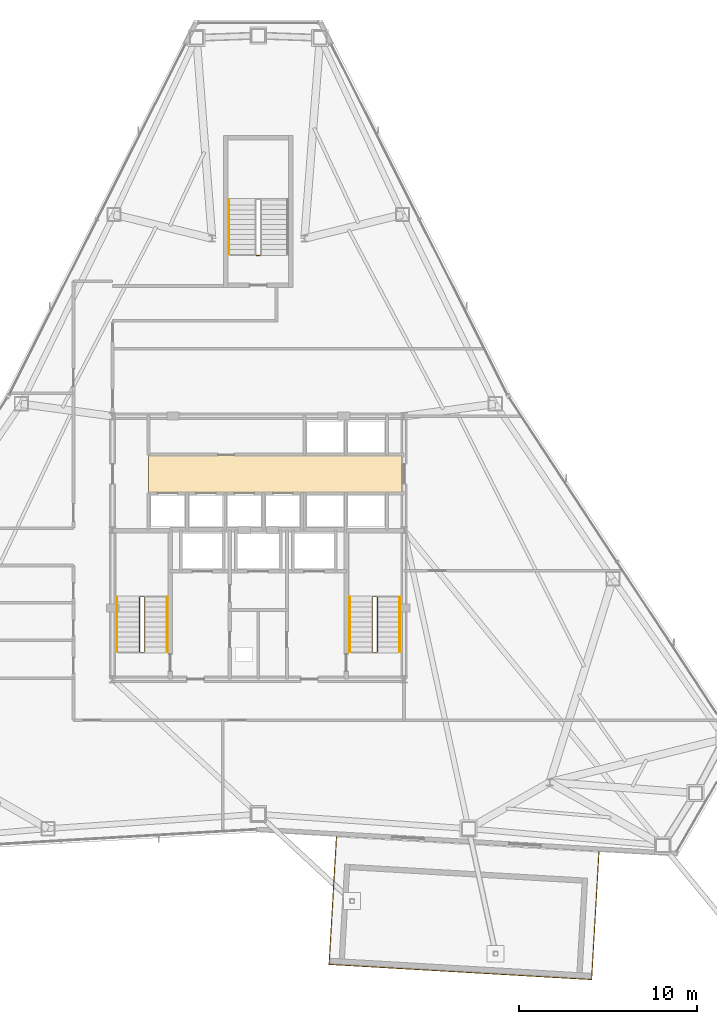
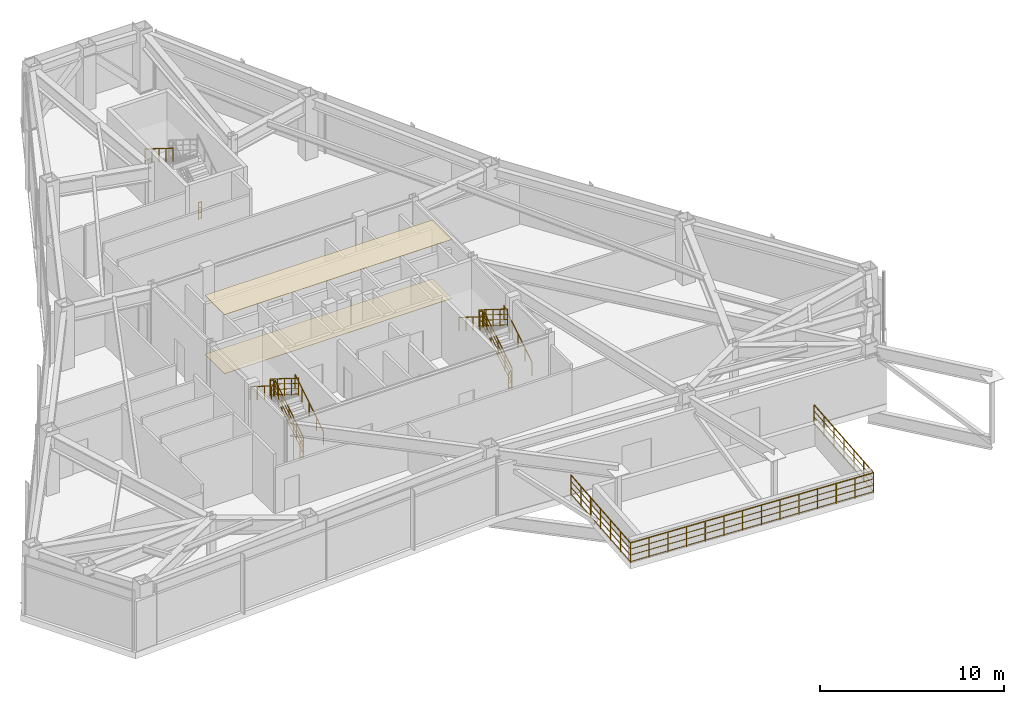
# One storey, part 12 of 13: 17 railings, 2 coverings.
"""IFC4 building model written with IfcOpenShell, lengths in metres."""

import ifcopenshell
import ifcopenshell.guid

model = None  # the IFC model being written
_history = None  # IfcOwnerHistory: only IFC2X3 demands one
_inside = {}  # id of a spatial element -> (the spatial element, [elements in it])
_under = {}  # id of a project, library or spatial element -> (it, [spatial elements below it])
_declared = {}  # id of a project -> (the project, [libraries it declares])
_typed = {}  # id of a type object -> (the type object, [elements of that type])
_made_of = {}  # id of a material, layer set ... -> (it, [elements and type objects made of it])


def new_model(schema):
    """Start an empty IFC model of exactly this schema.

    Asked for "IFC4X3", IfcOpenShell would pick the latest addendum, in which some entities
    have other attributes; the version numbers below select the first issue.
    IFC2X3 requires an IfcOwnerHistory on every rooted entity: one is made here for all.
    """
    global model, _history
    if schema == "IFC4X3":
        model = ifcopenshell.file(schema_version=(4, 3, 0, 0))
    else:
        model = ifcopenshell.file(schema=schema)
    _inside.clear()
    _under.clear()
    _declared.clear()
    _typed.clear()
    _made_of.clear()
    _history = None
    if model.schema == "IFC2X3":
        org = make("IfcOrganization", Name="unknown")
        user = make(
            "IfcPersonAndOrganization",
            ThePerson=make("IfcPerson", FamilyName="unknown"),
            TheOrganization=org,
        )
        app = make(
            "IfcApplication",
            ApplicationDeveloper=org,
            Version="unknown",
            ApplicationFullName="unknown",
            ApplicationIdentifier="unknown",
        )
        _history = make(
            "IfcOwnerHistory",
            OwningUser=user,
            OwningApplication=app,
            ChangeAction="ADDED",
            CreationDate=0,
        )
    return model


def make(cls, **values):
    """One entity of the class cls with the attributes given. An attribute that is None is left unset."""
    return model.create_entity(
        cls, **{name: value for name, value in values.items() if value is not None}
    )


def rooted(cls, **values):
    """An entity with a GlobalId (a new one), such as an element, a storey or a relation."""
    return make(cls, GlobalId=ifcopenshell.guid.new(), OwnerHistory=_history, **values)


def si_unit(unit_type, name, prefix=None):
    """IfcSIUnit, for example si_unit("LENGTHUNIT", "METRE", prefix="MILLI")."""
    return make("IfcSIUnit", UnitType=unit_type, Prefix=prefix, Name=name)


def assignment(units):
    """IfcUnitAssignment: the units of a project."""
    return None if units is None else make("IfcUnitAssignment", Units=units)


def point(xyz):
    """IfcCartesianPoint."""
    return None if xyz is None else make("IfcCartesianPoint", Coordinates=xyz)


def direction(xyz):
    """IfcDirection."""
    return None if xyz is None else make("IfcDirection", DirectionRatios=xyz)


def frame(location, z_axis=None, x_axis=None):
    """IfcAxis2Placement3D, a coordinate frame: its origin and axes. An axis left out is left unset."""
    return make(
        "IfcAxis2Placement3D",
        Location=point(location),
        Axis=direction(z_axis),
        RefDirection=direction(x_axis),
    )


def frame_2d(location, x_axis=None):
    """IfcAxis2Placement2D, a coordinate frame in the plane: its origin and x axis."""
    return make(
        "IfcAxis2Placement2D", Location=point(location), RefDirection=direction(x_axis)
    )


def origin():
    """The frame at (0, 0, 0) with its axes left unset."""
    return frame((0.0, 0.0, 0.0))


def origin_2d():
    """The frame at (0, 0) in the plane with its x axis left unset."""
    return frame_2d((0.0, 0.0))


def place(relative_to, where):
    """IfcLocalPlacement: puts the frame where relative to a parent placement (None: the world)."""
    return make(
        "IfcLocalPlacement", PlacementRelTo=relative_to, RelativePlacement=where
    )


def context(
    kind, dimensions, precision=None, world=None, true_north=None, identifier=None
):
    """IfcGeometricRepresentationContext, for example the 3D "Model" context."""
    return make(
        "IfcGeometricRepresentationContext",
        ContextIdentifier=identifier,
        ContextType=kind,
        CoordinateSpaceDimension=dimensions,
        Precision=precision,
        WorldCoordinateSystem=world,
        TrueNorth=true_north,
    )


def subcontext(parent, identifier, kind, view, scale=None):
    """IfcGeometricRepresentationSubContext, for example "Body" below "Model"."""
    return make(
        "IfcGeometricRepresentationSubContext",
        ContextIdentifier=identifier,
        ContextType=kind,
        ParentContext=parent,
        TargetScale=scale,
        TargetView=view,
    )


def project(units=None, contexts=None):
    """IfcProject with its units and contexts."""
    return rooted(
        "IfcProject",
        Name="project",
        RepresentationContexts=contexts,
        UnitsInContext=assignment(units),
    )


def spatial(cls, under=None, at=None, **own):
    """A site, building, storey or space (cls), placed at a placement, below another one or the project."""
    s = rooted(cls, ObjectPlacement=at, **own)
    if under is not None:
        _under.setdefault(under.id(), (under, []))[1].append(s)
    return s


def polyline(points):
    """IfcPolyline through the points."""
    return make("IfcPolyline", Points=[point(p) for p in points])


def profile(cls, at=None, kind="AREA", **sizes):
    """A parametric profile (cls). Its sizes go by their IFC names, for example OverallWidth=200.0."""
    return make(cls, ProfileType=kind, Position=at, **sizes)


def rectangle(**sizes):
    """IfcRectangleProfileDef."""
    return profile("IfcRectangleProfileDef", **sizes)


def outline(outer, holes=None, kind="AREA"):
    """IfcArbitraryClosedProfileDef: a profile drawn as a closed curve; with holes, ...WithVoids."""
    if holes is None:
        return make("IfcArbitraryClosedProfileDef", ProfileType=kind, OuterCurve=outer)
    return make(
        "IfcArbitraryProfileDefWithVoids",
        ProfileType=kind,
        OuterCurve=outer,
        InnerCurves=holes,
    )


def extrude(swept, where, along, depth):
    """IfcExtrudedAreaSolid: the profile swept, set in the frame where, extruded along a direction by depth."""
    return make(
        "IfcExtrudedAreaSolid",
        SweptArea=swept,
        Position=where,
        ExtrudedDirection=direction(along),
        Depth=depth,
    )


def shape(context_of_items, identifier, shape_type, items):
    """IfcShapeRepresentation: the items that make up one representation, for example the "Body"."""
    return make(
        "IfcShapeRepresentation",
        ContextOfItems=context_of_items,
        RepresentationIdentifier=identifier,
        RepresentationType=shape_type,
        Items=items,
    )


def material(Name=None, Category=None):
    """IfcMaterial."""
    return make("IfcMaterial", Name=Name, Category=Category)


def layer(
    of_material, thickness, ventilated=None, Name=None, Category=None, Priority=None
):
    """IfcMaterialLayer: one layer of a wall or slab, of a material (None: an air gap)."""
    return make(
        "IfcMaterialLayer",
        Material=of_material,
        LayerThickness=thickness,
        IsVentilated=ventilated,
        Name=Name,
        Category=Category,
        Priority=Priority,
    )


def layer_set(layers, Name=None):
    """IfcMaterialLayerSet."""
    return make("IfcMaterialLayerSet", MaterialLayers=layers, LayerSetName=Name)


def made_of(thing, what):
    """Note that an element or type object is made of a material, layer set ...; save() writes the relation."""
    if what is not None:
        _made_of.setdefault(what.id(), (what, []))[1].append(thing)
    return thing


def type_object(cls, material=None, **own):
    """A type object (cls), such as IfcWallType, which elements share."""
    return made_of(rooted(cls, **own), material)


def element(
    cls,
    number,
    at=None,
    inside=None,
    cuts=None,
    type_object=None,
    material=None,
    context=None,
    identifier="Body",
    shape_type=None,
    held_by="IfcProductDefinitionShape",
    body=None,
    shapes=None,
    **own,
):
    """One element of the class cls, such as IfcWall. Its Tag is "e" and its number.

    at: its placement. inside: the storey or other place that contains it. cuts: it is an
    opening in that element (IfcRelVoidsElement). A single representation is given by context,
    identifier, shape_type and body (its items); several are given by shapes. held_by: the class
    of the entity that holds the representations. save() writes the other relations.
    """
    e = rooted(cls, Tag="e%d" % number, ObjectPlacement=at, **own)
    if body is not None:
        shapes = [shape(context, identifier, shape_type, body)]
    if shapes is not None:
        e.Representation = make(held_by, Representations=shapes)
    if inside is not None:
        _inside.setdefault(inside.id(), (inside, []))[1].append(e)
    if cuts is not None:
        rooted(
            "IfcRelVoidsElement", RelatingBuildingElement=cuts, RelatedOpeningElement=e
        )
    if type_object is not None:
        _typed.setdefault(type_object.id(), (type_object, []))[1].append(e)
    return made_of(e, material)


def aggregate(whole, parts):
    """IfcRelAggregates: a whole, such as a stair, and the parts it consists of."""
    return rooted("IfcRelAggregates", RelatingObject=whole, RelatedObjects=parts)


def save(model, path):
    """Write the relations noted so far, then the file.

    IfcRelAggregates (storeys below a building ...), IfcRelContainedInSpatialStructure (elements
    in a storey), IfcRelDefinesByType, IfcRelAssociatesMaterial and IfcRelDeclares: one each for
    every whole, place, type object, material and project.
    """
    for whole, parts in _under.values():
        aggregate(whole, parts)
    for where, things in _inside.values():
        rooted(
            "IfcRelContainedInSpatialStructure",
            RelatedElements=things,
            RelatingStructure=where,
        )
    for kind, things in _typed.values():
        rooted("IfcRelDefinesByType", RelatedObjects=things, RelatingType=kind)
    for what, things in _made_of.values():
        rooted("IfcRelAssociatesMaterial", RelatedObjects=things, RelatingMaterial=what)
    for by, libraries in _declared.values():
        rooted("IfcRelDeclares", RelatingContext=by, RelatedDefinitions=libraries)
    model.write(path)


model = new_model("IFC4")

# Units and contexts
model_context = context("Model", 3, precision=1e-05, world=origin(), true_north=direction((0.0, 1.0)))
body_context = subcontext(model_context, "Body", "Model", "MODEL_VIEW")
ifc_project = project(units=[si_unit("LENGTHUNIT", "METRE"), si_unit("AREAUNIT", "SQUARE_METRE"), si_unit("VOLUMEUNIT", "CUBIC_METRE"), si_unit("PLANEANGLEUNIT", "RADIAN"), si_unit("MASSUNIT", "GRAM", prefix="KILO")], contexts=[model_context])

# Site, building, storey
site_placement = place(None, origin())
site = spatial("IfcSite", under=ifc_project, at=site_placement, CompositionType="ELEMENT")
building_placement = place(site_placement, origin())
building = spatial("IfcBuilding", under=site, at=building_placement, Name="Varakhsha Concourse Tower", CompositionType="ELEMENT")
storey_placement = place(building_placement, frame((0.0, 0.0, 196.5)))
storey = spatial("IfcBuildingStorey", under=building, at=storey_placement, Name="L56", CompositionType="ELEMENT", Elevation=196.5)

# Coverings
ifc_material_1 = material(Name="Mineral Fibre Acoustic Lay-In Ceiling Tile 20 mm", Category="mineral")
ifc_layer_1 = layer(ifc_material_1, 0.02001953125, Name="COV-CEIL-20")
ifc_layer_set_1 = layer_set([ifc_layer_1], Name="Mineral Fibre Acoustic Lay-In Ceiling Tile 20 mm")
covering_type_1 = type_object("IfcCoveringType", Name="COV-CEIL-20", PredefinedType="CEILING", material=ifc_layer_set_1)
covering_1_placement = place(storey_placement, frame((0.0, 0.0, 3.919921875)))
element("IfcCovering", 1, at=covering_1_placement, inside=storey, type_object=covering_type_1, Name="L56 Lift Lobby Acoustic Ceiling", PredefinedType="CEILING", context=body_context, shape_type="SweptSolid", body=[
    extrude(outline(polyline([(33.820068359375, 26.8798828125), (48.10009765625, 26.8798828125), (48.10009765625, 29.02001953125), (33.820068359375, 29.02001953125), (33.820068359375, 26.8798828125)])), origin(), (0.0, 0.0, 1.0), 0.02001953125),
])
ifc_material_2 = material(Name="Polished Samarkand Aggregate Terrazzo Flooring 25 mm", Category="concrete")
ifc_layer_2 = layer(ifc_material_2, 0.02490234375, Name="COV-FLOOR-25")
ifc_layer_set_2 = layer_set([ifc_layer_2], Name="Polished Samarkand Aggregate Terrazzo Flooring 25 mm")
covering_type_2 = type_object("IfcCoveringType", Name="COV-FLOOR-25", PredefinedType="FLOORING", material=ifc_layer_set_2)
covering_2_placement = place(storey_placement, origin())
element("IfcCovering", 2, at=covering_2_placement, inside=storey, type_object=covering_type_2, Name="L56 Lift Lobby Terrazzo Flooring", PredefinedType="FLOORING", context=body_context, shape_type="SweptSolid", body=[
    extrude(outline(polyline([(33.820068359375, 26.8798828125), (48.10009765625, 26.8798828125), (48.10009765625, 29.02001953125), (33.820068359375, 29.02001953125), (33.820068359375, 26.8798828125)])), origin(), (0.0, 0.0, 1.0), 0.02490234375),
])

# Railings
ifc_material_3 = material(Name="Laminated Structural Low-Iron Glass 52 mm", Category="glass")
railing_type_1 = type_object("IfcRailingType", Name="RL-POOL-1350", PredefinedType="GUARDRAIL", material=ifc_material_3)
railing_1_placement = place(storey_placement, frame((44.398681640625, 7.540283203125, 0.0)))
element("IfcRailing", 3, at=railing_1_placement, inside=storey, type_object=railing_type_1, Name="L56 Perimeter Safety Balustrade RL-SKYPOOL-01", PredefinedType="GUARDRAIL", context=body_context, shape_type="SweptSolid", body=[
    extrude(rectangle(XDim=0.048095703125, YDim=0.048095703125, at=origin_2d()), frame((0.0, 0.0, 1.326171875), z_axis=(-0.057644629506, -0.998337165836, 0.0), x_axis=(0.998337165836, -0.057644629506, 0.0)), (0.0, 0.0, 1.0), 7.199951171875),
    extrude(rectangle(XDim=0.028076171875, YDim=0.028076171875, at=origin_2d()), frame((0.0, 0.0, 0.080078125), z_axis=(-0.057644629506, -0.998337165836, 0.0), x_axis=(0.998337165836, -0.057644629506, 0.0)), (0.0, 0.0, 1.0), 7.199951171875),
    extrude(rectangle(XDim=0.028076171875, YDim=0.028076171875, at=origin_2d()), frame((0.0, 0.0, 0.512939453125), z_axis=(-0.057644629506, -0.998337165836, 0.0), x_axis=(0.998337165836, -0.057644629506, 0.0)), (0.0, 0.0, 1.0), 7.199951171875),
    extrude(rectangle(XDim=0.028076171875, YDim=0.028076171875, at=origin_2d()), frame((0.0, 0.0, 0.918212890625), z_axis=(-0.057644629506, -0.998337165836, 0.0), x_axis=(0.998337165836, -0.057644629506, 0.0)), (0.0, 0.0, 1.0), 7.199951171875),
    extrude(rectangle(XDim=0.0419921875, YDim=0.0419921875, at=origin_2d()), origin(), (0.0, 0.0, 1.0), 1.302001953125),
    extrude(rectangle(XDim=0.0419921875, YDim=0.0419921875, at=origin_2d()), frame((-0.069091796875, -1.197998046875, 0.0)), (0.0, 0.0, 1.0), 1.302001953125),
    extrude(rectangle(XDim=0.0419921875, YDim=0.0419921875, at=origin_2d()), frame((-0.138427734375, -2.39599609375, 0.0)), (0.0, 0.0, 1.0), 1.302001953125),
    extrude(rectangle(XDim=0.0419921875, YDim=0.0419921875, at=origin_2d()), frame((-0.20751953125, -3.593994140625, 0.0)), (0.0, 0.0, 1.0), 1.302001953125),
    extrude(rectangle(XDim=0.0419921875, YDim=0.0419921875, at=origin_2d()), frame((-0.276611328125, -4.7919921875, 0.0)), (0.0, 0.0, 1.0), 1.302001953125),
    extrude(rectangle(XDim=0.0419921875, YDim=0.0419921875, at=origin_2d()), frame((-0.345947265625, -5.989990234375, 0.0)), (0.0, 0.0, 1.0), 1.302001953125),
    extrude(rectangle(XDim=0.0419921875, YDim=0.0419921875, at=origin_2d()), frame((-0.4150390625, -7.18798828125, 0.0)), (0.0, 0.0, 1.0), 1.302001953125),
])
railing_2_placement = place(storey_placement, frame((43.983642578125, 0.352294921875, 0.0)))
element("IfcRailing", 4, at=railing_2_placement, inside=storey, type_object=railing_type_1, Name="L56 Perimeter Safety Balustrade RL-SKYPOOL-02", PredefinedType="GUARDRAIL", context=body_context, shape_type="SweptSolid", body=[
    extrude(rectangle(XDim=0.048095703125, YDim=0.048095703125, at=origin_2d()), frame((0.0, 0.0, 1.326171875), z_axis=(0.998337606, -0.057637005872, 0.0), x_axis=(0.057637005872, 0.998337606, 0.0)), (0.0, 0.0, 1.0), 14.800048828125),
    extrude(rectangle(XDim=0.028076171875, YDim=0.028076171875, at=origin_2d()), frame((0.0, 0.0, 0.080078125), z_axis=(0.998337606, -0.057637005872, 0.0), x_axis=(0.057637005872, 0.998337606, 0.0)), (0.0, 0.0, 1.0), 14.800048828125),
    extrude(rectangle(XDim=0.028076171875, YDim=0.028076171875, at=origin_2d()), frame((0.0, 0.0, 0.512939453125), z_axis=(0.998337606, -0.057637005872, 0.0), x_axis=(0.057637005872, 0.998337606, 0.0)), (0.0, 0.0, 1.0), 14.800048828125),
    extrude(rectangle(XDim=0.028076171875, YDim=0.028076171875, at=origin_2d()), frame((0.0, 0.0, 0.918212890625), z_axis=(0.998337606, -0.057637005872, 0.0), x_axis=(0.057637005872, 0.998337606, 0.0)), (0.0, 0.0, 1.0), 14.800048828125),
    extrude(rectangle(XDim=0.0419921875, YDim=0.0419921875, at=origin_2d()), origin(), (0.0, 0.0, 1.0), 1.302001953125),
    extrude(rectangle(XDim=0.0419921875, YDim=0.0419921875, at=origin_2d()), frame((1.136474609375, -0.065673828125, 0.0)), (0.0, 0.0, 1.0), 1.302001953125),
    extrude(rectangle(XDim=0.0419921875, YDim=0.0419921875, at=origin_2d()), frame((2.273193359375, -0.13134765625, 0.0)), (0.0, 0.0, 1.0), 1.302001953125),
    extrude(rectangle(XDim=0.0419921875, YDim=0.0419921875, at=origin_2d()), frame((3.40966796875, -0.19677734375, 0.0)), (0.0, 0.0, 1.0), 1.302001953125),
    extrude(rectangle(XDim=0.0419921875, YDim=0.0419921875, at=origin_2d()), frame((4.54638671875, -0.262451171875, 0.0)), (0.0, 0.0, 1.0), 1.302001953125),
    extrude(rectangle(XDim=0.0419921875, YDim=0.0419921875, at=origin_2d()), frame((5.682861328125, -0.328125, 0.0)), (0.0, 0.0, 1.0), 1.302001953125),
    extrude(rectangle(XDim=0.0419921875, YDim=0.0419921875, at=origin_2d()), frame((6.8193359375, -0.393798828125, 0.0)), (0.0, 0.0, 1.0), 1.302001953125),
    extrude(rectangle(XDim=0.0419921875, YDim=0.0419921875, at=origin_2d()), frame((7.9560546875, -0.459228515625, 0.0)), (0.0, 0.0, 1.0), 1.302001953125),
    extrude(rectangle(XDim=0.0419921875, YDim=0.0419921875, at=origin_2d()), frame((9.092529296875, -0.52490234375, 0.0)), (0.0, 0.0, 1.0), 1.302001953125),
    extrude(rectangle(XDim=0.0419921875, YDim=0.0419921875, at=origin_2d()), frame((10.22900390625, -0.590576171875, 0.0)), (0.0, 0.0, 1.0), 1.302001953125),
    extrude(rectangle(XDim=0.0419921875, YDim=0.0419921875, at=origin_2d()), frame((11.36572265625, -0.65625, 0.0)), (0.0, 0.0, 1.0), 1.302001953125),
    extrude(rectangle(XDim=0.0419921875, YDim=0.0419921875, at=origin_2d()), frame((12.502197265625, -0.7216796875, 0.0)), (0.0, 0.0, 1.0), 1.302001953125),
    extrude(rectangle(XDim=0.0419921875, YDim=0.0419921875, at=origin_2d()), frame((13.638916015625, -0.787353515625, 0.0)), (0.0, 0.0, 1.0), 1.302001953125),
    extrude(rectangle(XDim=0.0419921875, YDim=0.0419921875, at=origin_2d()), frame((14.775390625, -0.85302734375, 0.0)), (0.0, 0.0, 1.0), 1.302001953125),
])
railing_3_placement = place(storey_placement, frame((58.759033203125, -0.500732421875, 0.0)))
element("IfcRailing", 5, at=railing_3_placement, inside=storey, type_object=railing_type_1, Name="L56 Perimeter Safety Balustrade RL-SKYPOOL-03", PredefinedType="GUARDRAIL", context=body_context, shape_type="SweptSolid", body=[
    extrude(rectangle(XDim=0.048095703125, YDim=0.048095703125, at=origin_2d()), frame((0.0, 0.0, 1.326171875), z_axis=(0.057644629506, 0.998337165836, 0.0), x_axis=(-0.998337165836, 0.057644629506, 0.0)), (0.0, 0.0, 1.0), 7.199951171875),
    extrude(rectangle(XDim=0.028076171875, YDim=0.028076171875, at=origin_2d()), frame((0.0, 0.0, 0.080078125), z_axis=(0.057644629506, 0.998337165836, 0.0), x_axis=(-0.998337165836, 0.057644629506, 0.0)), (0.0, 0.0, 1.0), 7.199951171875),
    extrude(rectangle(XDim=0.028076171875, YDim=0.028076171875, at=origin_2d()), frame((0.0, 0.0, 0.512939453125), z_axis=(0.057644629506, 0.998337165836, 0.0), x_axis=(-0.998337165836, 0.057644629506, 0.0)), (0.0, 0.0, 1.0), 7.199951171875),
    extrude(rectangle(XDim=0.028076171875, YDim=0.028076171875, at=origin_2d()), frame((0.0, 0.0, 0.918212890625), z_axis=(0.057644629506, 0.998337165836, 0.0), x_axis=(-0.998337165836, 0.057644629506, 0.0)), (0.0, 0.0, 1.0), 7.199951171875),
    extrude(rectangle(XDim=0.0419921875, YDim=0.0419921875, at=origin_2d()), origin(), (0.0, 0.0, 1.0), 1.302001953125),
    extrude(rectangle(XDim=0.0419921875, YDim=0.0419921875, at=origin_2d()), frame((0.069091796875, 1.197998046875, 0.0)), (0.0, 0.0, 1.0), 1.302001953125),
    extrude(rectangle(XDim=0.0419921875, YDim=0.0419921875, at=origin_2d()), frame((0.138427734375, 2.39599609375, 0.0)), (0.0, 0.0, 1.0), 1.302001953125),
    extrude(rectangle(XDim=0.0419921875, YDim=0.0419921875, at=origin_2d()), frame((0.20751953125, 3.593994140625, 0.0)), (0.0, 0.0, 1.0), 1.302001953125),
    extrude(rectangle(XDim=0.0419921875, YDim=0.0419921875, at=origin_2d()), frame((0.276611328125, 4.7919921875, 0.0)), (0.0, 0.0, 1.0), 1.302001953125),
    extrude(rectangle(XDim=0.0419921875, YDim=0.0419921875, at=origin_2d()), frame((0.345947265625, 5.989990234375, 0.0)), (0.0, 0.0, 1.0), 1.302001953125),
    extrude(rectangle(XDim=0.0419921875, YDim=0.0419921875, at=origin_2d()), frame((0.4150390625, 7.18798828125, 0.0)), (0.0, 0.0, 1.0), 1.302001953125),
])
ifc_material_4 = material(Name="Brushed Austenitic Stainless Steel AISI 316", Category="steel")
railing_type_2 = type_object("IfcRailingType", Name="RL-STAIR-GUARD-1100", PredefinedType="GUARDRAIL", material=ifc_material_4)
railing_4_placement = place(storey_placement, frame((33.610107421875, 17.93994140625, 0.175048828125)))
element("IfcRailing", 6, at=railing_4_placement, inside=storey, type_object=railing_type_2, Name="L56 ST1 stair guard 1", PredefinedType="GUARDRAIL", context=body_context, shape_type="SweptSolid", body=[
    extrude(rectangle(XDim=0.048095703125, YDim=0.048095703125, at=origin_2d()), frame((0.0, 0.0, 1.1259765625), z_axis=(0.0, 0.847998304005, 0.529998940003), x_axis=(-1.0, 0.0, 0.0)), (0.0, 0.0, 1.0), 3.632080078125),
    extrude(rectangle(XDim=0.028076171875, YDim=0.028076171875, at=origin_2d()), frame((0.0, 0.0, 0.080078125), z_axis=(0.0, 0.847998304005, 0.529998940003), x_axis=(-1.0, 0.0, 0.0)), (0.0, 0.0, 1.0), 3.632080078125),
    extrude(rectangle(XDim=0.028076171875, YDim=0.028076171875, at=origin_2d()), frame((0.0, 0.0, 0.43701171875), z_axis=(0.0, 0.847998304005, 0.529998940003), x_axis=(-1.0, 0.0, 0.0)), (0.0, 0.0, 1.0), 3.632080078125),
    extrude(rectangle(XDim=0.028076171875, YDim=0.028076171875, at=origin_2d()), frame((0.0, 0.0, 0.781982421875), z_axis=(0.0, 0.847998304005, 0.529998940003), x_axis=(-1.0, 0.0, 0.0)), (0.0, 0.0, 1.0), 3.632080078125),
    extrude(rectangle(XDim=0.0419921875, YDim=0.0419921875, at=origin_2d()), origin(), (0.0, 0.0, 1.0), 1.101806640625),
    extrude(rectangle(XDim=0.0419921875, YDim=0.0419921875, at=origin_2d()), frame((0.0, 0.77001953125, 0.481201171875)), (0.0, 0.0, 1.0), 1.101806640625),
    extrude(rectangle(XDim=0.0419921875, YDim=0.0419921875, at=origin_2d()), frame((0.0, 1.5400390625, 0.96240234375)), (0.0, 0.0, 1.0), 1.101806640625),
    extrude(rectangle(XDim=0.0419921875, YDim=0.0419921875, at=origin_2d()), frame((0.0, 2.31005859375, 1.44384765625)), (0.0, 0.0, 1.0), 1.101806640625),
    extrude(rectangle(XDim=0.0419921875, YDim=0.0419921875, at=origin_2d()), frame((0.0, 3.080078125, 1.925048828125)), (0.0, 0.0, 1.0), 1.101806640625),
])
railing_5_placement = place(storey_placement, frame((33.56005859375, 21.070068359375, 2.10009765625)))
element("IfcRailing", 7, at=railing_5_placement, inside=storey, type_object=railing_type_2, Name="L56 ST1 stair guard 2", PredefinedType="GUARDRAIL", context=body_context, shape_type="SweptSolid", body=[
    extrude(rectangle(XDim=0.048095703125, YDim=0.048095703125, at=origin_2d()), frame((0.0, 0.0, 1.1259765625), z_axis=(-1.0, 0.0, 0.0), x_axis=(0.0, -1.0, 0.0)), (0.0, 0.0, 1.0), 0.199951171875),
    extrude(rectangle(XDim=0.028076171875, YDim=0.028076171875, at=origin_2d()), frame((0.0, 0.0, 0.080078125), z_axis=(-1.0, 0.0, 0.0), x_axis=(0.0, -1.0, 0.0)), (0.0, 0.0, 1.0), 0.199951171875),
    extrude(rectangle(XDim=0.028076171875, YDim=0.028076171875, at=origin_2d()), frame((0.0, 0.0, 0.43701171875), z_axis=(-1.0, 0.0, 0.0), x_axis=(0.0, -1.0, 0.0)), (0.0, 0.0, 1.0), 0.199951171875),
    extrude(rectangle(XDim=0.028076171875, YDim=0.028076171875, at=origin_2d()), frame((0.0, 0.0, 0.781982421875), z_axis=(-1.0, 0.0, 0.0), x_axis=(0.0, -1.0, 0.0)), (0.0, 0.0, 1.0), 0.199951171875),
    extrude(rectangle(XDim=0.0419921875, YDim=0.0419921875, at=origin_2d()), origin(), (0.0, 0.0, 1.0), 1.101806640625),
    extrude(rectangle(XDim=0.0419921875, YDim=0.0419921875, at=origin_2d()), frame((-0.199951171875, 0.0, 0.0)), (0.0, 0.0, 1.0), 1.101806640625),
])
railing_6_placement = place(storey_placement, frame((33.31005859375, 21.02001953125, 2.27490234375)))
element("IfcRailing", 8, at=railing_6_placement, inside=storey, type_object=railing_type_2, Name="L56 ST1 stair guard 3", PredefinedType="GUARDRAIL", context=body_context, shape_type="SweptSolid", body=[
    extrude(rectangle(XDim=0.048095703125, YDim=0.048095703125, at=origin_2d()), frame((0.0, 0.0, 1.1259765625), z_axis=(0.0, -0.847998304005, 0.529998940003), x_axis=(1.0, 0.0, 0.0)), (0.0, 0.0, 1.0), 3.632080078125),
    extrude(rectangle(XDim=0.028076171875, YDim=0.028076171875, at=origin_2d()), frame((0.0, 0.0, 0.080078125), z_axis=(0.0, -0.847998304005, 0.529998940003), x_axis=(1.0, 0.0, 0.0)), (0.0, 0.0, 1.0), 3.632080078125),
    extrude(rectangle(XDim=0.028076171875, YDim=0.028076171875, at=origin_2d()), frame((0.0, 0.0, 0.43701171875), z_axis=(0.0, -0.847998304005, 0.529998940003), x_axis=(1.0, 0.0, 0.0)), (0.0, 0.0, 1.0), 3.632080078125),
    extrude(rectangle(XDim=0.028076171875, YDim=0.028076171875, at=origin_2d()), frame((0.0, 0.0, 0.781982421875), z_axis=(0.0, -0.847998304005, 0.529998940003), x_axis=(1.0, 0.0, 0.0)), (0.0, 0.0, 1.0), 3.632080078125),
    extrude(rectangle(XDim=0.0419921875, YDim=0.0419921875, at=origin_2d()), origin(), (0.0, 0.0, 1.0), 1.101806640625),
    extrude(rectangle(XDim=0.0419921875, YDim=0.0419921875, at=origin_2d()), frame((0.0, -0.77001953125, 0.481201171875)), (0.0, 0.0, 1.0), 1.101806640625),
    extrude(rectangle(XDim=0.0419921875, YDim=0.0419921875, at=origin_2d()), frame((0.0, -1.5400390625, 0.96240234375)), (0.0, 0.0, 1.0), 1.101806640625),
    extrude(rectangle(XDim=0.0419921875, YDim=0.0419921875, at=origin_2d()), frame((0.0, -2.31005859375, 1.44384765625)), (0.0, 0.0, 1.0), 1.101806640625),
    extrude(rectangle(XDim=0.0419921875, YDim=0.0419921875, at=origin_2d()), frame((0.0, -3.080078125, 1.925048828125)), (0.0, 0.0, 1.0), 1.101806640625),
])
railing_7_placement = place(storey_placement, frame((33.56005859375, 17.889892578125, 0.0)))
element("IfcRailing", 9, at=railing_7_placement, inside=storey, type_object=railing_type_2, Name="L56 ST1 stair guard 4", PredefinedType="GUARDRAIL", context=body_context, shape_type="SweptSolid", body=[
    extrude(rectangle(XDim=0.048095703125, YDim=0.048095703125, at=origin_2d()), frame((0.0, 0.0, 1.1259765625), z_axis=(-1.0, 0.0, 0.0), x_axis=(0.0, -1.0, 0.0)), (0.0, 0.0, 1.0), 0.199951171875),
    extrude(rectangle(XDim=0.028076171875, YDim=0.028076171875, at=origin_2d()), frame((0.0, 0.0, 0.080078125), z_axis=(-1.0, 0.0, 0.0), x_axis=(0.0, -1.0, 0.0)), (0.0, 0.0, 1.0), 0.199951171875),
    extrude(rectangle(XDim=0.028076171875, YDim=0.028076171875, at=origin_2d()), frame((0.0, 0.0, 0.43701171875), z_axis=(-1.0, 0.0, 0.0), x_axis=(0.0, -1.0, 0.0)), (0.0, 0.0, 1.0), 0.199951171875),
    extrude(rectangle(XDim=0.028076171875, YDim=0.028076171875, at=origin_2d()), frame((0.0, 0.0, 0.781982421875), z_axis=(-1.0, 0.0, 0.0), x_axis=(0.0, -1.0, 0.0)), (0.0, 0.0, 1.0), 0.199951171875),
    extrude(rectangle(XDim=0.0419921875, YDim=0.0419921875, at=origin_2d()), origin(), (0.0, 0.0, 1.0), 1.101806640625),
    extrude(rectangle(XDim=0.0419921875, YDim=0.0419921875, at=origin_2d()), frame((-0.199951171875, 0.0, 0.0)), (0.0, 0.0, 1.0), 1.101806640625),
])
railing_8_placement = place(storey_placement, frame((46.7099609375, 17.93994140625, 0.175048828125)))
element("IfcRailing", 10, at=railing_8_placement, inside=storey, type_object=railing_type_2, Name="L56 ST2 stair guard 1", PredefinedType="GUARDRAIL", context=body_context, shape_type="SweptSolid", body=[
    extrude(rectangle(XDim=0.048095703125, YDim=0.048095703125, at=origin_2d()), frame((0.0, 0.0, 1.1259765625), z_axis=(0.0, 0.847998304005, 0.529998940003), x_axis=(-1.0, 0.0, 0.0)), (0.0, 0.0, 1.0), 3.632080078125),
    extrude(rectangle(XDim=0.028076171875, YDim=0.028076171875, at=origin_2d()), frame((0.0, 0.0, 0.080078125), z_axis=(0.0, 0.847998304005, 0.529998940003), x_axis=(-1.0, 0.0, 0.0)), (0.0, 0.0, 1.0), 3.632080078125),
    extrude(rectangle(XDim=0.028076171875, YDim=0.028076171875, at=origin_2d()), frame((0.0, 0.0, 0.43701171875), z_axis=(0.0, 0.847998304005, 0.529998940003), x_axis=(-1.0, 0.0, 0.0)), (0.0, 0.0, 1.0), 3.632080078125),
    extrude(rectangle(XDim=0.028076171875, YDim=0.028076171875, at=origin_2d()), frame((0.0, 0.0, 0.781982421875), z_axis=(0.0, 0.847998304005, 0.529998940003), x_axis=(-1.0, 0.0, 0.0)), (0.0, 0.0, 1.0), 3.632080078125),
    extrude(rectangle(XDim=0.0419921875, YDim=0.0419921875, at=origin_2d()), origin(), (0.0, 0.0, 1.0), 1.101806640625),
    extrude(rectangle(XDim=0.0419921875, YDim=0.0419921875, at=origin_2d()), frame((0.0, 0.77001953125, 0.481201171875)), (0.0, 0.0, 1.0), 1.101806640625),
    extrude(rectangle(XDim=0.0419921875, YDim=0.0419921875, at=origin_2d()), frame((0.0, 1.5400390625, 0.96240234375)), (0.0, 0.0, 1.0), 1.101806640625),
    extrude(rectangle(XDim=0.0419921875, YDim=0.0419921875, at=origin_2d()), frame((0.0, 2.31005859375, 1.44384765625)), (0.0, 0.0, 1.0), 1.101806640625),
    extrude(rectangle(XDim=0.0419921875, YDim=0.0419921875, at=origin_2d()), frame((0.0, 3.080078125, 1.925048828125)), (0.0, 0.0, 1.0), 1.101806640625),
])
railing_9_placement = place(storey_placement, frame((46.659912109375, 21.070068359375, 2.10009765625)))
element("IfcRailing", 11, at=railing_9_placement, inside=storey, type_object=railing_type_2, Name="L56 ST2 stair guard 2", PredefinedType="GUARDRAIL", context=body_context, shape_type="SweptSolid", body=[
    extrude(rectangle(XDim=0.048095703125, YDim=0.048095703125, at=origin_2d()), frame((0.0, 0.0, 1.1259765625), z_axis=(-1.0, 0.0, 0.0), x_axis=(0.0, -1.0, 0.0)), (0.0, 0.0, 1.0), 0.199951171875),
    extrude(rectangle(XDim=0.028076171875, YDim=0.028076171875, at=origin_2d()), frame((0.0, 0.0, 0.080078125), z_axis=(-1.0, 0.0, 0.0), x_axis=(0.0, -1.0, 0.0)), (0.0, 0.0, 1.0), 0.199951171875),
    extrude(rectangle(XDim=0.028076171875, YDim=0.028076171875, at=origin_2d()), frame((0.0, 0.0, 0.43701171875), z_axis=(-1.0, 0.0, 0.0), x_axis=(0.0, -1.0, 0.0)), (0.0, 0.0, 1.0), 0.199951171875),
    extrude(rectangle(XDim=0.028076171875, YDim=0.028076171875, at=origin_2d()), frame((0.0, 0.0, 0.781982421875), z_axis=(-1.0, 0.0, 0.0), x_axis=(0.0, -1.0, 0.0)), (0.0, 0.0, 1.0), 0.199951171875),
    extrude(rectangle(XDim=0.0419921875, YDim=0.0419921875, at=origin_2d()), origin(), (0.0, 0.0, 1.0), 1.101806640625),
    extrude(rectangle(XDim=0.0419921875, YDim=0.0419921875, at=origin_2d()), frame((-0.199951171875, 0.0, 0.0)), (0.0, 0.0, 1.0), 1.101806640625),
])
railing_10_placement = place(storey_placement, frame((46.409912109375, 21.02001953125, 2.27490234375)))
element("IfcRailing", 12, at=railing_10_placement, inside=storey, type_object=railing_type_2, Name="L56 ST2 stair guard 3", PredefinedType="GUARDRAIL", context=body_context, shape_type="SweptSolid", body=[
    extrude(rectangle(XDim=0.048095703125, YDim=0.048095703125, at=origin_2d()), frame((0.0, 0.0, 1.1259765625), z_axis=(0.0, -0.847998304005, 0.529998940003), x_axis=(1.0, 0.0, 0.0)), (0.0, 0.0, 1.0), 3.632080078125),
    extrude(rectangle(XDim=0.028076171875, YDim=0.028076171875, at=origin_2d()), frame((0.0, 0.0, 0.080078125), z_axis=(0.0, -0.847998304005, 0.529998940003), x_axis=(1.0, 0.0, 0.0)), (0.0, 0.0, 1.0), 3.632080078125),
    extrude(rectangle(XDim=0.028076171875, YDim=0.028076171875, at=origin_2d()), frame((0.0, 0.0, 0.43701171875), z_axis=(0.0, -0.847998304005, 0.529998940003), x_axis=(1.0, 0.0, 0.0)), (0.0, 0.0, 1.0), 3.632080078125),
    extrude(rectangle(XDim=0.028076171875, YDim=0.028076171875, at=origin_2d()), frame((0.0, 0.0, 0.781982421875), z_axis=(0.0, -0.847998304005, 0.529998940003), x_axis=(1.0, 0.0, 0.0)), (0.0, 0.0, 1.0), 3.632080078125),
    extrude(rectangle(XDim=0.0419921875, YDim=0.0419921875, at=origin_2d()), origin(), (0.0, 0.0, 1.0), 1.101806640625),
    extrude(rectangle(XDim=0.0419921875, YDim=0.0419921875, at=origin_2d()), frame((0.0, -0.77001953125, 0.481201171875)), (0.0, 0.0, 1.0), 1.101806640625),
    extrude(rectangle(XDim=0.0419921875, YDim=0.0419921875, at=origin_2d()), frame((0.0, -1.5400390625, 0.96240234375)), (0.0, 0.0, 1.0), 1.101806640625),
    extrude(rectangle(XDim=0.0419921875, YDim=0.0419921875, at=origin_2d()), frame((0.0, -2.31005859375, 1.44384765625)), (0.0, 0.0, 1.0), 1.101806640625),
    extrude(rectangle(XDim=0.0419921875, YDim=0.0419921875, at=origin_2d()), frame((0.0, -3.080078125, 1.925048828125)), (0.0, 0.0, 1.0), 1.101806640625),
])
railing_11_placement = place(storey_placement, frame((46.659912109375, 17.889892578125, 0.0)))
element("IfcRailing", 13, at=railing_11_placement, inside=storey, type_object=railing_type_2, Name="L56 ST2 stair guard 4", PredefinedType="GUARDRAIL", context=body_context, shape_type="SweptSolid", body=[
    extrude(rectangle(XDim=0.048095703125, YDim=0.048095703125, at=origin_2d()), frame((0.0, 0.0, 1.1259765625), z_axis=(-1.0, 0.0, 0.0), x_axis=(0.0, -1.0, 0.0)), (0.0, 0.0, 1.0), 0.199951171875),
    extrude(rectangle(XDim=0.028076171875, YDim=0.028076171875, at=origin_2d()), frame((0.0, 0.0, 0.080078125), z_axis=(-1.0, 0.0, 0.0), x_axis=(0.0, -1.0, 0.0)), (0.0, 0.0, 1.0), 0.199951171875),
    extrude(rectangle(XDim=0.028076171875, YDim=0.028076171875, at=origin_2d()), frame((0.0, 0.0, 0.43701171875), z_axis=(-1.0, 0.0, 0.0), x_axis=(0.0, -1.0, 0.0)), (0.0, 0.0, 1.0), 0.199951171875),
    extrude(rectangle(XDim=0.028076171875, YDim=0.028076171875, at=origin_2d()), frame((0.0, 0.0, 0.781982421875), z_axis=(-1.0, 0.0, 0.0), x_axis=(0.0, -1.0, 0.0)), (0.0, 0.0, 1.0), 0.199951171875),
    extrude(rectangle(XDim=0.0419921875, YDim=0.0419921875, at=origin_2d()), origin(), (0.0, 0.0, 1.0), 1.101806640625),
    extrude(rectangle(XDim=0.0419921875, YDim=0.0419921875, at=origin_2d()), frame((-0.199951171875, 0.0, 0.0)), (0.0, 0.0, 1.0), 1.101806640625),
])
railing_12_placement = place(storey_placement, frame((40.10009765625, 40.25, 0.0)))
element("IfcRailing", 14, at=railing_12_placement, inside=storey, type_object=railing_type_2, Name="L56 ST5 stair guard 4", PredefinedType="GUARDRAIL", context=body_context, shape_type="SweptSolid", body=[
    extrude(rectangle(XDim=0.048095703125, YDim=0.048095703125, at=origin_2d()), frame((0.0, 0.0, 1.1259765625), z_axis=(-1.0, 0.0, 0.0), x_axis=(0.0, -1.0, 0.0)), (0.0, 0.0, 1.0), 0.2001953125),
    extrude(rectangle(XDim=0.028076171875, YDim=0.028076171875, at=origin_2d()), frame((0.0, 0.0, 0.080078125), z_axis=(-1.0, 0.0, 0.0), x_axis=(0.0, -1.0, 0.0)), (0.0, 0.0, 1.0), 0.2001953125),
    extrude(rectangle(XDim=0.028076171875, YDim=0.028076171875, at=origin_2d()), frame((0.0, 0.0, 0.43701171875), z_axis=(-1.0, 0.0, 0.0), x_axis=(0.0, -1.0, 0.0)), (0.0, 0.0, 1.0), 0.2001953125),
    extrude(rectangle(XDim=0.028076171875, YDim=0.028076171875, at=origin_2d()), frame((0.0, 0.0, 0.781982421875), z_axis=(-1.0, 0.0, 0.0), x_axis=(0.0, -1.0, 0.0)), (0.0, 0.0, 1.0), 0.2001953125),
    extrude(rectangle(XDim=0.0419921875, YDim=0.0419921875, at=origin_2d()), origin(), (0.0, 0.0, 1.0), 1.101806640625),
    extrude(rectangle(XDim=0.0419921875, YDim=0.0419921875, at=origin_2d()), frame((-0.2001953125, 0.0, 0.0)), (0.0, 0.0, 1.0), 1.101806640625),
])
railing_type_3 = type_object("IfcRailingType", Name="RL-STAIR-RAIL-915", PredefinedType="HANDRAIL", material=ifc_material_4)
railing_13_placement = place(storey_placement, frame((34.8701171875, 17.93994140625, 0.35009765625)))
element("IfcRailing", 15, at=railing_13_placement, inside=storey, type_object=railing_type_3, Name="L56 ST1 stair handrail 1", PredefinedType="HANDRAIL", context=body_context, shape_type="SweptSolid", body=[
    extrude(rectangle(XDim=0.048095703125, YDim=0.048095703125, at=origin_2d()), frame((0.0, 0.0, 0.89111328125), z_axis=(0.0, 0.848028513186, 0.529950602248), x_axis=(-1.0, 0.0, 0.0)), (0.0, 0.0, 1.0), 3.632080078125),
    extrude(rectangle(XDim=0.0419921875, YDim=0.0419921875, at=origin_2d()), origin(), (0.0, 0.0, 1.0), 0.866943359375),
    extrude(rectangle(XDim=0.0419921875, YDim=0.0419921875, at=origin_2d()), frame((0.0, 0.77001953125, 0.481201171875)), (0.0, 0.0, 1.0), 0.866943359375),
    extrude(rectangle(XDim=0.0419921875, YDim=0.0419921875, at=origin_2d()), frame((0.0, 1.5400390625, 0.96240234375)), (0.0, 0.0, 1.0), 0.866943359375),
    extrude(rectangle(XDim=0.0419921875, YDim=0.0419921875, at=origin_2d()), frame((0.0, 2.31005859375, 1.443603515625)), (0.0, 0.0, 1.0), 0.866943359375),
    extrude(rectangle(XDim=0.0419921875, YDim=0.0419921875, at=origin_2d()), frame((0.0, 3.080078125, 1.9248046875)), (0.0, 0.0, 1.0), 0.866943359375),
])
railing_14_placement = place(storey_placement, frame((32.050048828125, 21.02001953125, 2.449951171875)))
element("IfcRailing", 16, at=railing_14_placement, inside=storey, type_object=railing_type_3, Name="L56 ST1 stair handrail 2", PredefinedType="HANDRAIL", context=body_context, shape_type="SweptSolid", body=[
    extrude(rectangle(XDim=0.048095703125, YDim=0.048095703125, at=origin_2d()), frame((0.0, 0.0, 0.89111328125), z_axis=(0.0, -0.847998304005, 0.529998940003), x_axis=(1.0, 0.0, 0.0)), (0.0, 0.0, 1.0), 3.632080078125),
    extrude(rectangle(XDim=0.0419921875, YDim=0.0419921875, at=origin_2d()), origin(), (0.0, 0.0, 1.0), 0.866943359375),
    extrude(rectangle(XDim=0.0419921875, YDim=0.0419921875, at=origin_2d()), frame((0.0, -0.77001953125, 0.481201171875)), (0.0, 0.0, 1.0), 0.866943359375),
    extrude(rectangle(XDim=0.0419921875, YDim=0.0419921875, at=origin_2d()), frame((0.0, -1.5400390625, 0.96240234375)), (0.0, 0.0, 1.0), 0.866943359375),
    extrude(rectangle(XDim=0.0419921875, YDim=0.0419921875, at=origin_2d()), frame((0.0, -2.31005859375, 1.44384765625)), (0.0, 0.0, 1.0), 0.866943359375),
    extrude(rectangle(XDim=0.0419921875, YDim=0.0419921875, at=origin_2d()), frame((0.0, -3.080078125, 1.925048828125)), (0.0, 0.0, 1.0), 0.866943359375),
])
railing_15_placement = place(storey_placement, frame((47.969970703125, 17.93994140625, 0.35009765625)))
element("IfcRailing", 17, at=railing_15_placement, inside=storey, type_object=railing_type_3, Name="L56 ST2 stair handrail 1", PredefinedType="HANDRAIL", context=body_context, shape_type="SweptSolid", body=[
    extrude(rectangle(XDim=0.048095703125, YDim=0.048095703125, at=origin_2d()), frame((0.0, 0.0, 0.89111328125), z_axis=(0.0, 0.848028513186, 0.529950602248), x_axis=(-1.0, 0.0, 0.0)), (0.0, 0.0, 1.0), 3.632080078125),
    extrude(rectangle(XDim=0.0419921875, YDim=0.0419921875, at=origin_2d()), origin(), (0.0, 0.0, 1.0), 0.866943359375),
    extrude(rectangle(XDim=0.0419921875, YDim=0.0419921875, at=origin_2d()), frame((0.0, 0.77001953125, 0.481201171875)), (0.0, 0.0, 1.0), 0.866943359375),
    extrude(rectangle(XDim=0.0419921875, YDim=0.0419921875, at=origin_2d()), frame((0.0, 1.5400390625, 0.96240234375)), (0.0, 0.0, 1.0), 0.866943359375),
    extrude(rectangle(XDim=0.0419921875, YDim=0.0419921875, at=origin_2d()), frame((0.0, 2.31005859375, 1.443603515625)), (0.0, 0.0, 1.0), 0.866943359375),
    extrude(rectangle(XDim=0.0419921875, YDim=0.0419921875, at=origin_2d()), frame((0.0, 3.080078125, 1.9248046875)), (0.0, 0.0, 1.0), 0.866943359375),
])
railing_16_placement = place(storey_placement, frame((45.14990234375, 21.02001953125, 2.449951171875)))
element("IfcRailing", 18, at=railing_16_placement, inside=storey, type_object=railing_type_3, Name="L56 ST2 stair handrail 2", PredefinedType="HANDRAIL", context=body_context, shape_type="SweptSolid", body=[
    extrude(rectangle(XDim=0.048095703125, YDim=0.048095703125, at=origin_2d()), frame((0.0, 0.0, 0.89111328125), z_axis=(0.0, -0.847998304005, 0.529998940003), x_axis=(1.0, 0.0, 0.0)), (0.0, 0.0, 1.0), 3.632080078125),
    extrude(rectangle(XDim=0.0419921875, YDim=0.0419921875, at=origin_2d()), origin(), (0.0, 0.0, 1.0), 0.866943359375),
    extrude(rectangle(XDim=0.0419921875, YDim=0.0419921875, at=origin_2d()), frame((0.0, -0.77001953125, 0.481201171875)), (0.0, 0.0, 1.0), 0.866943359375),
    extrude(rectangle(XDim=0.0419921875, YDim=0.0419921875, at=origin_2d()), frame((0.0, -1.5400390625, 0.96240234375)), (0.0, 0.0, 1.0), 0.866943359375),
    extrude(rectangle(XDim=0.0419921875, YDim=0.0419921875, at=origin_2d()), frame((0.0, -2.31005859375, 1.44384765625)), (0.0, 0.0, 1.0), 0.866943359375),
    extrude(rectangle(XDim=0.0419921875, YDim=0.0419921875, at=origin_2d()), frame((0.0, -3.080078125, 1.925048828125)), (0.0, 0.0, 1.0), 0.866943359375),
])
railing_17_placement = place(storey_placement, frame((38.35009765625, 43.3798828125, 2.449951171875)))
element("IfcRailing", 19, at=railing_17_placement, inside=storey, type_object=railing_type_3, Name="L56 ST5 stair handrail 2", PredefinedType="HANDRAIL", context=body_context, shape_type="SweptSolid", body=[
    extrude(rectangle(XDim=0.048095703125, YDim=0.048095703125, at=origin_2d()), frame((0.0, 0.0, 0.89111328125), z_axis=(0.0, -0.847979421464, 0.530029150871), x_axis=(1.0, 0.0, 0.0)), (0.0, 0.0, 1.0), 3.632080078125),
    extrude(rectangle(XDim=0.0419921875, YDim=0.0419921875, at=origin_2d()), origin(), (0.0, 0.0, 1.0), 0.866943359375),
    extrude(rectangle(XDim=0.0419921875, YDim=0.0419921875, at=origin_2d()), frame((0.0, -0.77001953125, 0.481201171875)), (0.0, 0.0, 1.0), 0.866943359375),
    extrude(rectangle(XDim=0.0419921875, YDim=0.0419921875, at=origin_2d()), frame((0.0, -1.5400390625, 0.96240234375)), (0.0, 0.0, 1.0), 0.866943359375),
    extrude(rectangle(XDim=0.0419921875, YDim=0.0419921875, at=origin_2d()), frame((0.0, -2.309814453125, 1.44384765625)), (0.0, 0.0, 1.0), 0.866943359375),
    extrude(rectangle(XDim=0.0419921875, YDim=0.0419921875, at=origin_2d()), frame((0.0, -3.079833984375, 1.925048828125)), (0.0, 0.0, 1.0), 0.866943359375),
])

save(model, "model.ifc")
